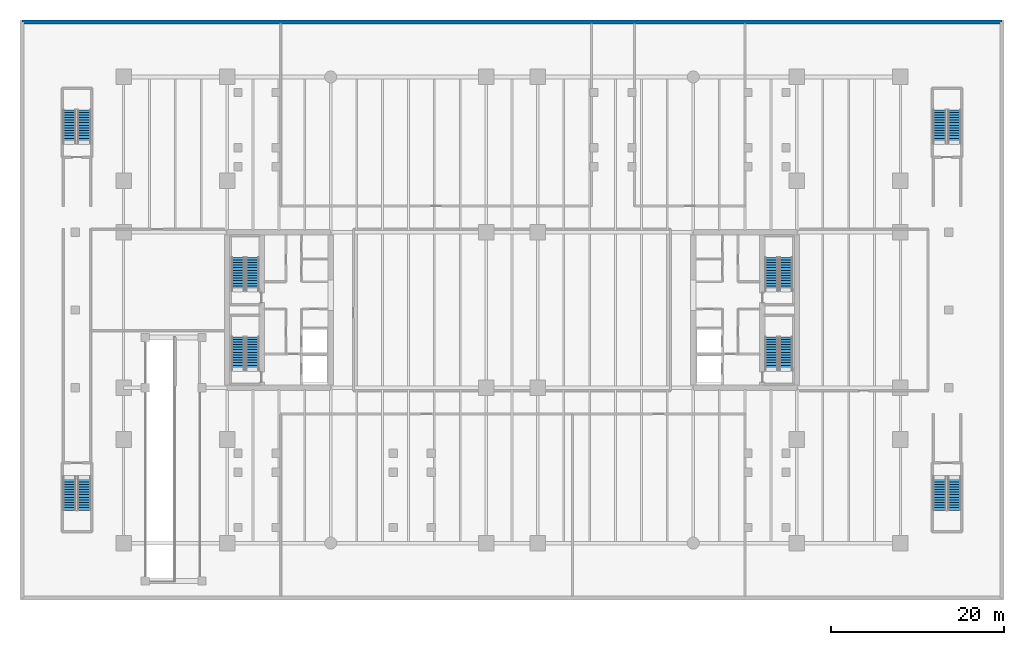
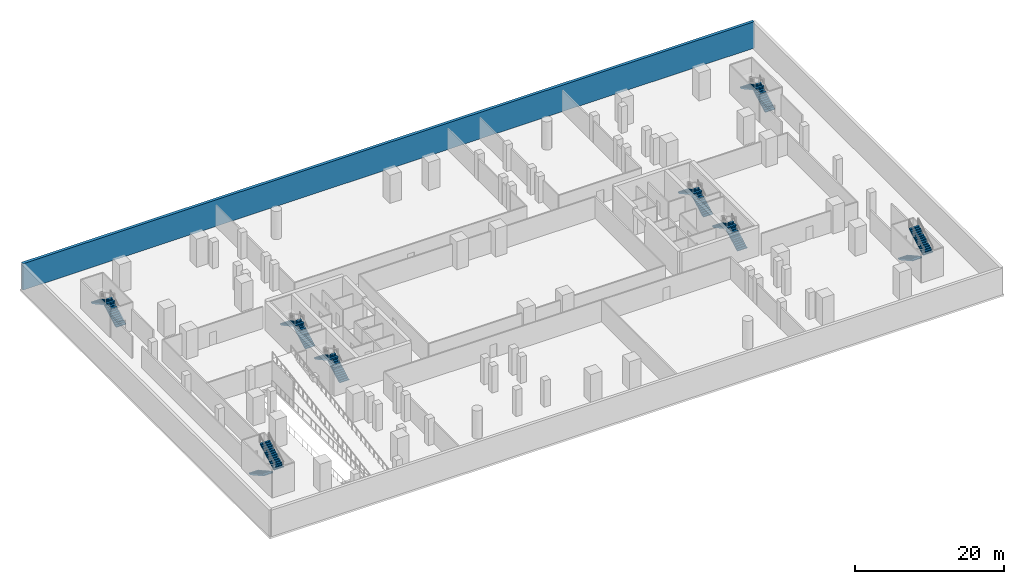
# One storey, part 9 of 13: 16 stair flights, 1 wall, 8 elements without a shape of their own.
"""IFC4 building model written with IfcOpenShell, lengths in metres."""

from ifc_helpers import new_model, si_unit, direction, frame, frame_2d, origin, place, context, subcontext, project, spatial, polyline, rectangle, outline, extrude, material, layer, layer_set, type_object, element, aggregate, save


model = new_model("IFC4")

# Units and contexts
model_context = context("Model", 3, precision=1e-05, world=origin(), true_north=direction((0.0, 1.0)))
body_context = subcontext(model_context, "Body", "Model", "MODEL_VIEW")
ifc_project = project(units=[si_unit("LENGTHUNIT", "METRE"), si_unit("AREAUNIT", "SQUARE_METRE"), si_unit("VOLUMEUNIT", "CUBIC_METRE"), si_unit("PLANEANGLEUNIT", "RADIAN"), si_unit("MASSUNIT", "GRAM", prefix="KILO")], contexts=[model_context])

# Site, building, storey
site_placement = place(None, origin())
site = spatial("IfcSite", under=ifc_project, at=site_placement, CompositionType="ELEMENT")
building_placement = place(site_placement, origin())
building = spatial("IfcBuilding", under=site, at=building_placement, Name="Tanjung Sevakor Pilgrim Tower", CompositionType="ELEMENT")
storey_placement = place(building_placement, frame((0.0, 0.0, -4.6201171875)))
storey = spatial("IfcBuildingStorey", under=building, at=storey_placement, Name="B01", CompositionType="ELEMENT", Elevation=-4.6201171875)

# Wall
ifc_material_1 = material(Name="Concrete C50/60", Category="concrete")
ifc_layer = layer(ifc_material_1, 0.449951171875)
ifc_layer_set = layer_set([ifc_layer], Name="WT-RET-450")
wall_type = type_object("IfcWallType", Name="WT-RET-450", PredefinedType="USERDEFINED", material=ifc_layer_set)
wall_placement = place(storey_placement, frame((113.77490234375, 66.97509765625, 0.0), z_axis=(0.0, 0.0, 1.0), x_axis=(-1.0, 0.0, 0.0)))
element("IfcWall", 1, at=wall_placement, inside=storey, type_object=wall_type, Name="B01 Perimeter Retaining Wall 3", ObjectType="RETAININGWALL", PredefinedType="USERDEFINED", context=body_context, shape_type="SweptSolid", body=[
    extrude(rectangle(XDim=113.5498046875, YDim=0.449951171875, at=frame_2d((56.77490234375, 0.0))), origin(), (0.0, 0.0, 1.0), 4.340087890625),
])

# Stair, stair flights
ifc_material_2 = material(Name="Concrete C40/50", Category="concrete")
stair_type_1 = type_object("IfcStairType", Name="STAIR-ST-BS150", PredefinedType="HALF_TURN_STAIR", material=ifc_material_2)
stair_1_placement = place(storey_placement, origin())
stair_1 = element("IfcStair", 2, at=stair_1_placement, inside=storey, type_object=stair_type_1, Name="B01 Basement South-West Exit Stair", PredefinedType="HALF_TURN_STAIR")
ifc_material_3 = material(Name="Concrete C40/50", Category="concrete")
stair_flight_type_1 = type_object("IfcStairFlightType", Name="FLIGHT-ST-BS150", PredefinedType="STRAIGHT", material=ifc_material_3)
stair_flight_1_placement = place(storey_placement, frame((5.75, 14.300048828125, 0.0), z_axis=(0.0, 0.0, 1.0), x_axis=(0.0, -1.0, 0.0)))
stair_flight_1 = element("IfcStairFlight", 3, at=stair_flight_1_placement, type_object=stair_flight_type_1, Name="BS-1 flight 1", NumberOfRisers=14, NumberOfTreads=13, PredefinedType="STRAIGHT", RiserHeight=0.165, TreadLength=0.3, context=body_context, shape_type="SweptSolid", body=[
    extrude(outline(polyline([(0.0, 0.0), (0.0, 0.1650390625), (0.300048828125, 0.1650390625), (0.300048828125, 0.330078125), (0.60009765625, 0.330078125), (0.60009765625, 0.4951171875), (0.89990234375, 0.4951171875), (0.89990234375, 0.659912109375), (1.199951171875, 0.659912109375), (1.199951171875, 0.824951171875), (1.5, 0.824951171875), (1.5, 0.989990234375), (1.800048828125, 0.989990234375), (1.800048828125, 1.155029296875), (2.10009765625, 1.155029296875), (2.10009765625, 1.320068359375), (2.39990234375, 1.320068359375), (2.39990234375, 1.485107421875), (2.699951171875, 1.485107421875), (2.699951171875, 1.64990234375), (3.0, 1.64990234375), (3.0, 1.81494140625), (3.300048828125, 1.81494140625), (3.300048828125, 1.97998046875), (3.60009765625, 1.97998046875), (3.60009765625, 2.14501953125), (3.89990234375, 2.14501953125), (3.89990234375, 2.31005859375), (3.89990234375, 1.96240234375), (0.331787109375, 0.0), (0.0, 0.0)])), frame((0.0, 0.75, 0.0), z_axis=(0.0, -1.0, 0.0), x_axis=(1.0, 0.0, 0.0)), (0.0, 0.0, 1.0), 1.5),
])
stair_flight_2_placement = place(storey_placement, frame((7.449951171875, 10.39990234375, 2.31005859375), z_axis=(0.0, 0.0, 1.0), x_axis=(0.0, 1.0, 0.0)))
stair_flight_2 = element("IfcStairFlight", 4, at=stair_flight_2_placement, type_object=stair_flight_type_1, Name="BS-1 flight 2", NumberOfRisers=14, NumberOfTreads=13, PredefinedType="STRAIGHT", RiserHeight=0.165, TreadLength=0.3, context=body_context, shape_type="SweptSolid", body=[
    extrude(outline(polyline([(0.0, 0.0), (0.0, 0.1650390625), (0.300048828125, 0.1650390625), (0.300048828125, 0.330078125), (0.60009765625, 0.330078125), (0.60009765625, 0.4951171875), (0.89990234375, 0.4951171875), (0.89990234375, 0.659912109375), (1.199951171875, 0.659912109375), (1.199951171875, 0.824951171875), (1.5, 0.824951171875), (1.5, 0.989990234375), (1.800048828125, 0.989990234375), (1.800048828125, 1.155029296875), (2.10009765625, 1.155029296875), (2.10009765625, 1.320068359375), (2.39990234375, 1.320068359375), (2.39990234375, 1.485107421875), (2.699951171875, 1.485107421875), (2.699951171875, 1.64990234375), (3.0, 1.64990234375), (3.0, 1.81494140625), (3.300048828125, 1.81494140625), (3.300048828125, 1.97998046875), (3.60009765625, 1.97998046875), (3.60009765625, 2.14501953125), (3.89990234375, 2.14501953125), (3.89990234375, 2.31005859375), (3.89990234375, 1.96240234375), (0.331787109375, 0.0), (0.0, 0.0)])), frame((0.0, 0.75, 0.0), z_axis=(0.0, -1.0, 0.0), x_axis=(1.0, 0.0, 0.0)), (0.0, 0.0, 1.0), 1.5),
])
aggregate(stair_1, [stair_flight_1, stair_flight_2])

stair_2_placement = place(storey_placement, origin())
stair_2 = element("IfcStair", 5, at=stair_2_placement, inside=storey, type_object=stair_type_1, Name="B01 Basement North-West Exit Stair", PredefinedType="HALF_TURN_STAIR")
stair_flight_3_placement = place(storey_placement, frame((7.449951171875, 52.89990234375, 0.0), z_axis=(0.0, 0.0, 1.0), x_axis=(0.0, 1.0, 0.0)))
stair_flight_3 = element("IfcStairFlight", 6, at=stair_flight_3_placement, type_object=stair_flight_type_1, Name="BS-2 flight 1", NumberOfRisers=14, NumberOfTreads=13, PredefinedType="STRAIGHT", RiserHeight=0.165, TreadLength=0.3, context=body_context, shape_type="SweptSolid", body=[
    extrude(outline(polyline([(0.0, 0.0), (0.0, 0.1650390625), (0.300048828125, 0.1650390625), (0.300048828125, 0.330078125), (0.60009765625, 0.330078125), (0.60009765625, 0.4951171875), (0.89990234375, 0.4951171875), (0.89990234375, 0.659912109375), (1.199951171875, 0.659912109375), (1.199951171875, 0.824951171875), (1.5, 0.824951171875), (1.5, 0.989990234375), (1.800048828125, 0.989990234375), (1.800048828125, 1.155029296875), (2.10009765625, 1.155029296875), (2.10009765625, 1.320068359375), (2.39990234375, 1.320068359375), (2.39990234375, 1.485107421875), (2.699951171875, 1.485107421875), (2.699951171875, 1.64990234375), (3.0, 1.64990234375), (3.0, 1.81494140625), (3.300048828125, 1.81494140625), (3.300048828125, 1.97998046875), (3.60009765625, 1.97998046875), (3.60009765625, 2.14501953125), (3.89990234375, 2.14501953125), (3.89990234375, 2.31005859375), (3.89990234375, 1.96240234375), (0.331787109375, 0.0), (0.0, 0.0)])), frame((0.0, 0.75, 0.0), z_axis=(0.0, -1.0, 0.0), x_axis=(1.0, 0.0, 0.0)), (0.0, 0.0, 1.0), 1.5),
])
stair_flight_4_placement = place(storey_placement, frame((5.75, 56.800048828125, 2.31005859375), z_axis=(0.0, 0.0, 1.0), x_axis=(0.0, -1.0, 0.0)))
stair_flight_4 = element("IfcStairFlight", 7, at=stair_flight_4_placement, type_object=stair_flight_type_1, Name="BS-2 flight 2", NumberOfRisers=14, NumberOfTreads=13, PredefinedType="STRAIGHT", RiserHeight=0.165, TreadLength=0.3, context=body_context, shape_type="SweptSolid", body=[
    extrude(outline(polyline([(0.0, 0.0), (0.0, 0.1650390625), (0.300048828125, 0.1650390625), (0.300048828125, 0.330078125), (0.60009765625, 0.330078125), (0.60009765625, 0.4951171875), (0.89990234375, 0.4951171875), (0.89990234375, 0.659912109375), (1.199951171875, 0.659912109375), (1.199951171875, 0.824951171875), (1.5, 0.824951171875), (1.5, 0.989990234375), (1.800048828125, 0.989990234375), (1.800048828125, 1.155029296875), (2.10009765625, 1.155029296875), (2.10009765625, 1.320068359375), (2.39990234375, 1.320068359375), (2.39990234375, 1.485107421875), (2.699951171875, 1.485107421875), (2.699951171875, 1.64990234375), (3.0, 1.64990234375), (3.0, 1.81494140625), (3.300048828125, 1.81494140625), (3.300048828125, 1.97998046875), (3.60009765625, 1.97998046875), (3.60009765625, 2.14501953125), (3.89990234375, 2.14501953125), (3.89990234375, 2.31005859375), (3.89990234375, 1.96240234375), (0.331787109375, 0.0), (0.0, 0.0)])), frame((0.0, 0.75, 0.0), z_axis=(0.0, -1.0, 0.0), x_axis=(1.0, 0.0, 0.0)), (0.0, 0.0, 1.0), 1.5),
])
aggregate(stair_2, [stair_flight_3, stair_flight_4])

stair_3_placement = place(storey_placement, origin())
stair_3 = element("IfcStair", 8, at=stair_3_placement, inside=storey, type_object=stair_type_1, Name="B01 Basement South-East Exit Stair", PredefinedType="HALF_TURN_STAIR")
stair_flight_5_placement = place(storey_placement, frame((106.550048828125, 14.300048828125, 0.0), z_axis=(0.0, 0.0, 1.0), x_axis=(0.0, -1.0, 0.0)))
stair_flight_5 = element("IfcStairFlight", 9, at=stair_flight_5_placement, type_object=stair_flight_type_1, Name="BS-3 flight 1", NumberOfRisers=14, NumberOfTreads=13, PredefinedType="STRAIGHT", RiserHeight=0.165, TreadLength=0.3, context=body_context, shape_type="SweptSolid", body=[
    extrude(outline(polyline([(0.0, 0.0), (0.0, 0.1650390625), (0.300048828125, 0.1650390625), (0.300048828125, 0.330078125), (0.60009765625, 0.330078125), (0.60009765625, 0.4951171875), (0.89990234375, 0.4951171875), (0.89990234375, 0.659912109375), (1.199951171875, 0.659912109375), (1.199951171875, 0.824951171875), (1.5, 0.824951171875), (1.5, 0.989990234375), (1.800048828125, 0.989990234375), (1.800048828125, 1.155029296875), (2.10009765625, 1.155029296875), (2.10009765625, 1.320068359375), (2.39990234375, 1.320068359375), (2.39990234375, 1.485107421875), (2.699951171875, 1.485107421875), (2.699951171875, 1.64990234375), (3.0, 1.64990234375), (3.0, 1.81494140625), (3.300048828125, 1.81494140625), (3.300048828125, 1.97998046875), (3.60009765625, 1.97998046875), (3.60009765625, 2.14501953125), (3.89990234375, 2.14501953125), (3.89990234375, 2.31005859375), (3.89990234375, 1.96240234375), (0.331787109375, 0.0), (0.0, 0.0)])), frame((0.0, 0.75, 0.0), z_axis=(0.0, -1.0, 0.0), x_axis=(1.0, 0.0, 0.0)), (0.0, 0.0, 1.0), 1.5),
])
stair_flight_6_placement = place(storey_placement, frame((108.25, 10.39990234375, 2.31005859375), z_axis=(0.0, 0.0, 1.0), x_axis=(0.0, 1.0, 0.0)))
stair_flight_6 = element("IfcStairFlight", 10, at=stair_flight_6_placement, type_object=stair_flight_type_1, Name="BS-3 flight 2", NumberOfRisers=14, NumberOfTreads=13, PredefinedType="STRAIGHT", RiserHeight=0.165, TreadLength=0.3, context=body_context, shape_type="SweptSolid", body=[
    extrude(outline(polyline([(0.0, 0.0), (0.0, 0.1650390625), (0.300048828125, 0.1650390625), (0.300048828125, 0.330078125), (0.60009765625, 0.330078125), (0.60009765625, 0.4951171875), (0.89990234375, 0.4951171875), (0.89990234375, 0.659912109375), (1.199951171875, 0.659912109375), (1.199951171875, 0.824951171875), (1.5, 0.824951171875), (1.5, 0.989990234375), (1.800048828125, 0.989990234375), (1.800048828125, 1.155029296875), (2.10009765625, 1.155029296875), (2.10009765625, 1.320068359375), (2.39990234375, 1.320068359375), (2.39990234375, 1.485107421875), (2.699951171875, 1.485107421875), (2.699951171875, 1.64990234375), (3.0, 1.64990234375), (3.0, 1.81494140625), (3.300048828125, 1.81494140625), (3.300048828125, 1.97998046875), (3.60009765625, 1.97998046875), (3.60009765625, 2.14501953125), (3.89990234375, 2.14501953125), (3.89990234375, 2.31005859375), (3.89990234375, 1.96240234375), (0.331787109375, 0.0), (0.0, 0.0)])), frame((0.0, 0.75, 0.0), z_axis=(0.0, -1.0, 0.0), x_axis=(1.0, 0.0, 0.0)), (0.0, 0.0, 1.0), 1.5),
])
aggregate(stair_3, [stair_flight_5, stair_flight_6])

stair_4_placement = place(storey_placement, origin())
stair_4 = element("IfcStair", 11, at=stair_4_placement, inside=storey, type_object=stair_type_1, Name="B01 Basement North-East Exit Stair", PredefinedType="HALF_TURN_STAIR")
stair_flight_7_placement = place(storey_placement, frame((108.25, 52.89990234375, 0.0), z_axis=(0.0, 0.0, 1.0), x_axis=(0.0, 1.0, 0.0)))
stair_flight_7 = element("IfcStairFlight", 12, at=stair_flight_7_placement, type_object=stair_flight_type_1, Name="BS-4 flight 1", NumberOfRisers=14, NumberOfTreads=13, PredefinedType="STRAIGHT", RiserHeight=0.165, TreadLength=0.3, context=body_context, shape_type="SweptSolid", body=[
    extrude(outline(polyline([(0.0, 0.0), (0.0, 0.1650390625), (0.300048828125, 0.1650390625), (0.300048828125, 0.330078125), (0.60009765625, 0.330078125), (0.60009765625, 0.4951171875), (0.89990234375, 0.4951171875), (0.89990234375, 0.659912109375), (1.199951171875, 0.659912109375), (1.199951171875, 0.824951171875), (1.5, 0.824951171875), (1.5, 0.989990234375), (1.800048828125, 0.989990234375), (1.800048828125, 1.155029296875), (2.10009765625, 1.155029296875), (2.10009765625, 1.320068359375), (2.39990234375, 1.320068359375), (2.39990234375, 1.485107421875), (2.699951171875, 1.485107421875), (2.699951171875, 1.64990234375), (3.0, 1.64990234375), (3.0, 1.81494140625), (3.300048828125, 1.81494140625), (3.300048828125, 1.97998046875), (3.60009765625, 1.97998046875), (3.60009765625, 2.14501953125), (3.89990234375, 2.14501953125), (3.89990234375, 2.31005859375), (3.89990234375, 1.96240234375), (0.331787109375, 0.0), (0.0, 0.0)])), frame((0.0, 0.75, 0.0), z_axis=(0.0, -1.0, 0.0), x_axis=(1.0, 0.0, 0.0)), (0.0, 0.0, 1.0), 1.5),
])
stair_flight_8_placement = place(storey_placement, frame((106.550048828125, 56.800048828125, 2.31005859375), z_axis=(0.0, 0.0, 1.0), x_axis=(0.0, -1.0, 0.0)))
stair_flight_8 = element("IfcStairFlight", 13, at=stair_flight_8_placement, type_object=stair_flight_type_1, Name="BS-4 flight 2", NumberOfRisers=14, NumberOfTreads=13, PredefinedType="STRAIGHT", RiserHeight=0.165, TreadLength=0.3, context=body_context, shape_type="SweptSolid", body=[
    extrude(outline(polyline([(0.0, 0.0), (0.0, 0.1650390625), (0.300048828125, 0.1650390625), (0.300048828125, 0.330078125), (0.60009765625, 0.330078125), (0.60009765625, 0.4951171875), (0.89990234375, 0.4951171875), (0.89990234375, 0.659912109375), (1.199951171875, 0.659912109375), (1.199951171875, 0.824951171875), (1.5, 0.824951171875), (1.5, 0.989990234375), (1.800048828125, 0.989990234375), (1.800048828125, 1.155029296875), (2.10009765625, 1.155029296875), (2.10009765625, 1.320068359375), (2.39990234375, 1.320068359375), (2.39990234375, 1.485107421875), (2.699951171875, 1.485107421875), (2.699951171875, 1.64990234375), (3.0, 1.64990234375), (3.0, 1.81494140625), (3.300048828125, 1.81494140625), (3.300048828125, 1.97998046875), (3.60009765625, 1.97998046875), (3.60009765625, 2.14501953125), (3.89990234375, 2.14501953125), (3.89990234375, 2.31005859375), (3.89990234375, 1.96240234375), (0.331787109375, 0.0), (0.0, 0.0)])), frame((0.0, 0.75, 0.0), z_axis=(0.0, -1.0, 0.0), x_axis=(1.0, 0.0, 0.0)), (0.0, 0.0, 1.0), 1.5),
])
aggregate(stair_4, [stair_flight_7, stair_flight_8])

ifc_material_4 = material(Name="Concrete C40/50", Category="concrete")
stair_type_2 = type_object("IfcStairType", Name="STAIR-ST-CR150", PredefinedType="HALF_TURN_STAIR", material=ifc_material_4)
stair_5_placement = place(storey_placement, origin())
stair_5 = element("IfcStair", 14, at=stair_5_placement, inside=storey, type_object=stair_type_2, Name="B01 West Core Exit Stair 1", PredefinedType="HALF_TURN_STAIR")
ifc_material_5 = material(Name="Concrete C40/50", Category="concrete")
stair_flight_type_2 = type_object("IfcStairFlightType", Name="FLIGHT-ST-CR150", PredefinedType="STRAIGHT", material=ifc_material_5)
stair_flight_9_placement = place(storey_placement, frame((26.949951171875, 26.60009765625, 0.0), z_axis=(0.0, 0.0, 1.0), x_axis=(0.0, 1.0, 0.0)))
stair_flight_9 = element("IfcStairFlight", 15, at=stair_flight_9_placement, type_object=stair_flight_type_2, Name="TS-W1 flight 1", NumberOfRisers=14, NumberOfTreads=13, PredefinedType="STRAIGHT", RiserHeight=0.165, TreadLength=0.3, context=body_context, shape_type="SweptSolid", body=[
    extrude(outline(polyline([(0.0, 0.0), (0.0, 0.1650390625), (0.300048828125, 0.1650390625), (0.300048828125, 0.330078125), (0.60009765625, 0.330078125), (0.60009765625, 0.4951171875), (0.89990234375, 0.4951171875), (0.89990234375, 0.659912109375), (1.199951171875, 0.659912109375), (1.199951171875, 0.824951171875), (1.5, 0.824951171875), (1.5, 0.989990234375), (1.800048828125, 0.989990234375), (1.800048828125, 1.155029296875), (2.10009765625, 1.155029296875), (2.10009765625, 1.320068359375), (2.39990234375, 1.320068359375), (2.39990234375, 1.485107421875), (2.699951171875, 1.485107421875), (2.699951171875, 1.64990234375), (3.0, 1.64990234375), (3.0, 1.81494140625), (3.300048828125, 1.81494140625), (3.300048828125, 1.97998046875), (3.60009765625, 1.97998046875), (3.60009765625, 2.14501953125), (3.89990234375, 2.14501953125), (3.89990234375, 2.31005859375), (3.89990234375, 1.96240234375), (0.331787109375, 0.0), (0.0, 0.0)])), frame((0.0, 0.75, 0.0), z_axis=(0.0, -1.0, 0.0), x_axis=(1.0, 0.0, 0.0)), (0.0, 0.0, 1.0), 1.5),
])
stair_flight_10_placement = place(storey_placement, frame((25.25, 30.5, 2.31005859375), z_axis=(0.0, 0.0, 1.0), x_axis=(0.0, -1.0, 0.0)))
stair_flight_10 = element("IfcStairFlight", 16, at=stair_flight_10_placement, type_object=stair_flight_type_2, Name="TS-W1 flight 2", NumberOfRisers=14, NumberOfTreads=13, PredefinedType="STRAIGHT", RiserHeight=0.165, TreadLength=0.3, context=body_context, shape_type="SweptSolid", body=[
    extrude(outline(polyline([(0.0, 0.0), (0.0, 0.1650390625), (0.300048828125, 0.1650390625), (0.300048828125, 0.330078125), (0.60009765625, 0.330078125), (0.60009765625, 0.4951171875), (0.89990234375, 0.4951171875), (0.89990234375, 0.659912109375), (1.199951171875, 0.659912109375), (1.199951171875, 0.824951171875), (1.5, 0.824951171875), (1.5, 0.989990234375), (1.800048828125, 0.989990234375), (1.800048828125, 1.155029296875), (2.10009765625, 1.155029296875), (2.10009765625, 1.320068359375), (2.39990234375, 1.320068359375), (2.39990234375, 1.485107421875), (2.699951171875, 1.485107421875), (2.699951171875, 1.64990234375), (3.0, 1.64990234375), (3.0, 1.81494140625), (3.300048828125, 1.81494140625), (3.300048828125, 1.97998046875), (3.60009765625, 1.97998046875), (3.60009765625, 2.14501953125), (3.89990234375, 2.14501953125), (3.89990234375, 2.31005859375), (3.89990234375, 1.96240234375), (0.331787109375, 0.0), (0.0, 0.0)])), frame((0.0, 0.75, 0.0), z_axis=(0.0, -1.0, 0.0), x_axis=(1.0, 0.0, 0.0)), (0.0, 0.0, 1.0), 1.5),
])
aggregate(stair_5, [stair_flight_9, stair_flight_10])

stair_6_placement = place(storey_placement, origin())
stair_6 = element("IfcStair", 17, at=stair_6_placement, inside=storey, type_object=stair_type_2, Name="B01 West Core Exit Stair 2", PredefinedType="HALF_TURN_STAIR")
stair_flight_11_placement = place(storey_placement, frame((26.949951171875, 35.800048828125, 0.0), z_axis=(0.0, 0.0, 1.0), x_axis=(0.0, 1.0, 0.0)))
stair_flight_11 = element("IfcStairFlight", 18, at=stair_flight_11_placement, type_object=stair_flight_type_2, Name="TS-W2 flight 1", NumberOfRisers=14, NumberOfTreads=13, PredefinedType="STRAIGHT", RiserHeight=0.165, TreadLength=0.3, context=body_context, shape_type="SweptSolid", body=[
    extrude(outline(polyline([(0.0, 0.0), (0.0, 0.1650390625), (0.300048828125, 0.1650390625), (0.300048828125, 0.330078125), (0.60009765625, 0.330078125), (0.60009765625, 0.4951171875), (0.89990234375, 0.4951171875), (0.89990234375, 0.659912109375), (1.199951171875, 0.659912109375), (1.199951171875, 0.824951171875), (1.5, 0.824951171875), (1.5, 0.989990234375), (1.800048828125, 0.989990234375), (1.800048828125, 1.155029296875), (2.10009765625, 1.155029296875), (2.10009765625, 1.320068359375), (2.39990234375, 1.320068359375), (2.39990234375, 1.485107421875), (2.699951171875, 1.485107421875), (2.699951171875, 1.64990234375), (3.0, 1.64990234375), (3.0, 1.81494140625), (3.300048828125, 1.81494140625), (3.300048828125, 1.97998046875), (3.60009765625, 1.97998046875), (3.60009765625, 2.14501953125), (3.89990234375, 2.14501953125), (3.89990234375, 2.31005859375), (3.89990234375, 1.96240234375), (0.331787109375, 0.0), (0.0, 0.0)])), frame((0.0, 0.75, 0.0), z_axis=(0.0, -1.0, 0.0), x_axis=(1.0, 0.0, 0.0)), (0.0, 0.0, 1.0), 1.5),
])
stair_flight_12_placement = place(storey_placement, frame((25.25, 39.699951171875, 2.31005859375), z_axis=(0.0, 0.0, 1.0), x_axis=(0.0, -1.0, 0.0)))
stair_flight_12 = element("IfcStairFlight", 19, at=stair_flight_12_placement, type_object=stair_flight_type_2, Name="TS-W2 flight 2", NumberOfRisers=14, NumberOfTreads=13, PredefinedType="STRAIGHT", RiserHeight=0.165, TreadLength=0.3, context=body_context, shape_type="SweptSolid", body=[
    extrude(outline(polyline([(0.0, 0.0), (0.0, 0.1650390625), (0.300048828125, 0.1650390625), (0.300048828125, 0.330078125), (0.60009765625, 0.330078125), (0.60009765625, 0.4951171875), (0.89990234375, 0.4951171875), (0.89990234375, 0.659912109375), (1.199951171875, 0.659912109375), (1.199951171875, 0.824951171875), (1.5, 0.824951171875), (1.5, 0.989990234375), (1.800048828125, 0.989990234375), (1.800048828125, 1.155029296875), (2.10009765625, 1.155029296875), (2.10009765625, 1.320068359375), (2.39990234375, 1.320068359375), (2.39990234375, 1.485107421875), (2.699951171875, 1.485107421875), (2.699951171875, 1.64990234375), (3.0, 1.64990234375), (3.0, 1.81494140625), (3.300048828125, 1.81494140625), (3.300048828125, 1.97998046875), (3.60009765625, 1.97998046875), (3.60009765625, 2.14501953125), (3.89990234375, 2.14501953125), (3.89990234375, 2.31005859375), (3.89990234375, 1.96240234375), (0.331787109375, 0.0), (0.0, 0.0)])), frame((0.0, 0.75, 0.0), z_axis=(0.0, -1.0, 0.0), x_axis=(1.0, 0.0, 0.0)), (0.0, 0.0, 1.0), 1.5),
])
aggregate(stair_6, [stair_flight_11, stair_flight_12])

stair_7_placement = place(storey_placement, origin())
stair_7 = element("IfcStair", 20, at=stair_7_placement, inside=storey, type_object=stair_type_2, Name="B01 East Core Exit Stair 1", PredefinedType="HALF_TURN_STAIR")
stair_flight_13_placement = place(storey_placement, frame((88.75, 26.60009765625, 0.0), z_axis=(0.0, 0.0, 1.0), x_axis=(0.0, 1.0, 0.0)))
stair_flight_13 = element("IfcStairFlight", 21, at=stair_flight_13_placement, type_object=stair_flight_type_2, Name="TS-E1 flight 1", NumberOfRisers=14, NumberOfTreads=13, PredefinedType="STRAIGHT", RiserHeight=0.165, TreadLength=0.3, context=body_context, shape_type="SweptSolid", body=[
    extrude(outline(polyline([(0.0, 0.0), (0.0, 0.1650390625), (0.300048828125, 0.1650390625), (0.300048828125, 0.330078125), (0.60009765625, 0.330078125), (0.60009765625, 0.4951171875), (0.89990234375, 0.4951171875), (0.89990234375, 0.659912109375), (1.199951171875, 0.659912109375), (1.199951171875, 0.824951171875), (1.5, 0.824951171875), (1.5, 0.989990234375), (1.800048828125, 0.989990234375), (1.800048828125, 1.155029296875), (2.10009765625, 1.155029296875), (2.10009765625, 1.320068359375), (2.39990234375, 1.320068359375), (2.39990234375, 1.485107421875), (2.699951171875, 1.485107421875), (2.699951171875, 1.64990234375), (3.0, 1.64990234375), (3.0, 1.81494140625), (3.300048828125, 1.81494140625), (3.300048828125, 1.97998046875), (3.60009765625, 1.97998046875), (3.60009765625, 2.14501953125), (3.89990234375, 2.14501953125), (3.89990234375, 2.31005859375), (3.89990234375, 1.96240234375), (0.331787109375, 0.0), (0.0, 0.0)])), frame((0.0, 0.75, 0.0), z_axis=(0.0, -1.0, 0.0), x_axis=(1.0, 0.0, 0.0)), (0.0, 0.0, 1.0), 1.5),
])
stair_flight_14_placement = place(storey_placement, frame((87.050048828125, 30.5, 2.31005859375), z_axis=(0.0, 0.0, 1.0), x_axis=(0.0, -1.0, 0.0)))
stair_flight_14 = element("IfcStairFlight", 22, at=stair_flight_14_placement, type_object=stair_flight_type_2, Name="TS-E1 flight 2", NumberOfRisers=14, NumberOfTreads=13, PredefinedType="STRAIGHT", RiserHeight=0.165, TreadLength=0.3, context=body_context, shape_type="SweptSolid", body=[
    extrude(outline(polyline([(0.0, 0.0), (0.0, 0.1650390625), (0.300048828125, 0.1650390625), (0.300048828125, 0.330078125), (0.60009765625, 0.330078125), (0.60009765625, 0.4951171875), (0.89990234375, 0.4951171875), (0.89990234375, 0.659912109375), (1.199951171875, 0.659912109375), (1.199951171875, 0.824951171875), (1.5, 0.824951171875), (1.5, 0.989990234375), (1.800048828125, 0.989990234375), (1.800048828125, 1.155029296875), (2.10009765625, 1.155029296875), (2.10009765625, 1.320068359375), (2.39990234375, 1.320068359375), (2.39990234375, 1.485107421875), (2.699951171875, 1.485107421875), (2.699951171875, 1.64990234375), (3.0, 1.64990234375), (3.0, 1.81494140625), (3.300048828125, 1.81494140625), (3.300048828125, 1.97998046875), (3.60009765625, 1.97998046875), (3.60009765625, 2.14501953125), (3.89990234375, 2.14501953125), (3.89990234375, 2.31005859375), (3.89990234375, 1.96240234375), (0.331787109375, 0.0), (0.0, 0.0)])), frame((0.0, 0.75, 0.0), z_axis=(0.0, -1.0, 0.0), x_axis=(1.0, 0.0, 0.0)), (0.0, 0.0, 1.0), 1.5),
])
aggregate(stair_7, [stair_flight_13, stair_flight_14])

stair_8_placement = place(storey_placement, origin())
stair_8 = element("IfcStair", 23, at=stair_8_placement, inside=storey, type_object=stair_type_2, Name="B01 East Core Exit Stair 2", PredefinedType="HALF_TURN_STAIR")
stair_flight_15_placement = place(storey_placement, frame((88.75, 35.800048828125, 0.0), z_axis=(0.0, 0.0, 1.0), x_axis=(0.0, 1.0, 0.0)))
stair_flight_15 = element("IfcStairFlight", 24, at=stair_flight_15_placement, type_object=stair_flight_type_2, Name="TS-E2 flight 1", NumberOfRisers=14, NumberOfTreads=13, PredefinedType="STRAIGHT", RiserHeight=0.165, TreadLength=0.3, context=body_context, shape_type="SweptSolid", body=[
    extrude(outline(polyline([(0.0, 0.0), (0.0, 0.1650390625), (0.300048828125, 0.1650390625), (0.300048828125, 0.330078125), (0.60009765625, 0.330078125), (0.60009765625, 0.4951171875), (0.89990234375, 0.4951171875), (0.89990234375, 0.659912109375), (1.199951171875, 0.659912109375), (1.199951171875, 0.824951171875), (1.5, 0.824951171875), (1.5, 0.989990234375), (1.800048828125, 0.989990234375), (1.800048828125, 1.155029296875), (2.10009765625, 1.155029296875), (2.10009765625, 1.320068359375), (2.39990234375, 1.320068359375), (2.39990234375, 1.485107421875), (2.699951171875, 1.485107421875), (2.699951171875, 1.64990234375), (3.0, 1.64990234375), (3.0, 1.81494140625), (3.300048828125, 1.81494140625), (3.300048828125, 1.97998046875), (3.60009765625, 1.97998046875), (3.60009765625, 2.14501953125), (3.89990234375, 2.14501953125), (3.89990234375, 2.31005859375), (3.89990234375, 1.96240234375), (0.331787109375, 0.0), (0.0, 0.0)])), frame((0.0, 0.75, 0.0), z_axis=(0.0, -1.0, 0.0), x_axis=(1.0, 0.0, 0.0)), (0.0, 0.0, 1.0), 1.5),
])
stair_flight_16_placement = place(storey_placement, frame((87.050048828125, 39.699951171875, 2.31005859375), z_axis=(0.0, 0.0, 1.0), x_axis=(0.0, -1.0, 0.0)))
stair_flight_16 = element("IfcStairFlight", 25, at=stair_flight_16_placement, type_object=stair_flight_type_2, Name="TS-E2 flight 2", NumberOfRisers=14, NumberOfTreads=13, PredefinedType="STRAIGHT", RiserHeight=0.165, TreadLength=0.3, context=body_context, shape_type="SweptSolid", body=[
    extrude(outline(polyline([(0.0, 0.0), (0.0, 0.1650390625), (0.300048828125, 0.1650390625), (0.300048828125, 0.330078125), (0.60009765625, 0.330078125), (0.60009765625, 0.4951171875), (0.89990234375, 0.4951171875), (0.89990234375, 0.659912109375), (1.199951171875, 0.659912109375), (1.199951171875, 0.824951171875), (1.5, 0.824951171875), (1.5, 0.989990234375), (1.800048828125, 0.989990234375), (1.800048828125, 1.155029296875), (2.10009765625, 1.155029296875), (2.10009765625, 1.320068359375), (2.39990234375, 1.320068359375), (2.39990234375, 1.485107421875), (2.699951171875, 1.485107421875), (2.699951171875, 1.64990234375), (3.0, 1.64990234375), (3.0, 1.81494140625), (3.300048828125, 1.81494140625), (3.300048828125, 1.97998046875), (3.60009765625, 1.97998046875), (3.60009765625, 2.14501953125), (3.89990234375, 2.14501953125), (3.89990234375, 2.31005859375), (3.89990234375, 1.96240234375), (0.331787109375, 0.0), (0.0, 0.0)])), frame((0.0, 0.75, 0.0), z_axis=(0.0, -1.0, 0.0), x_axis=(1.0, 0.0, 0.0)), (0.0, 0.0, 1.0), 1.5),
])
aggregate(stair_8, [stair_flight_15, stair_flight_16])

save(model, "model.ifc")
